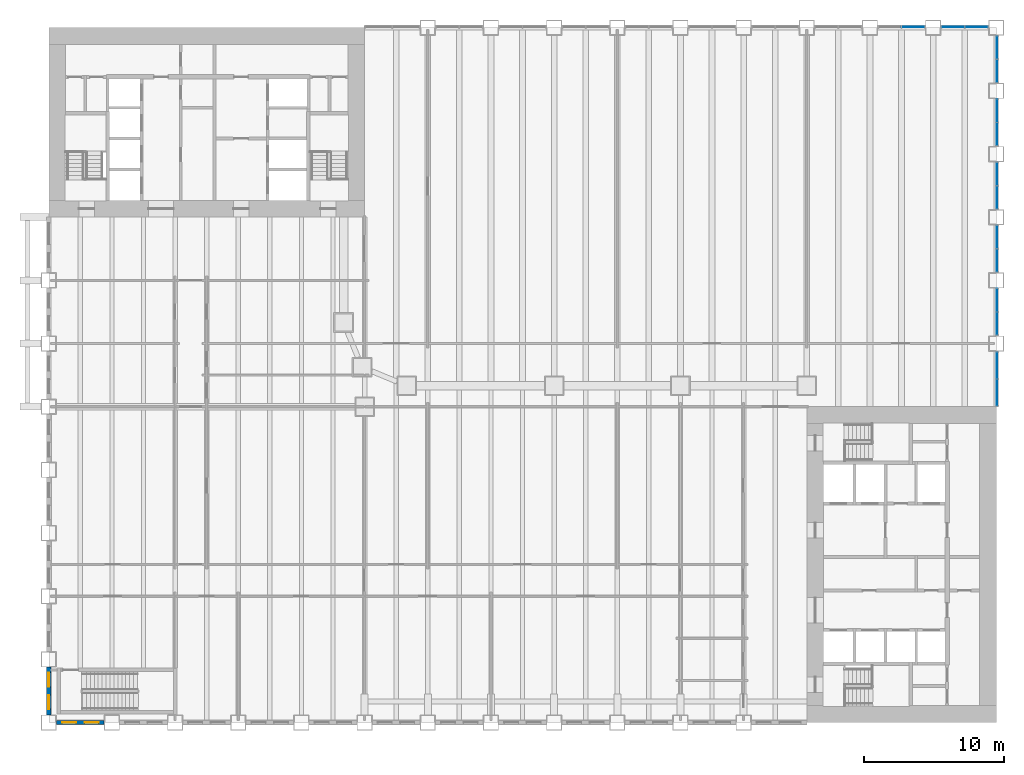
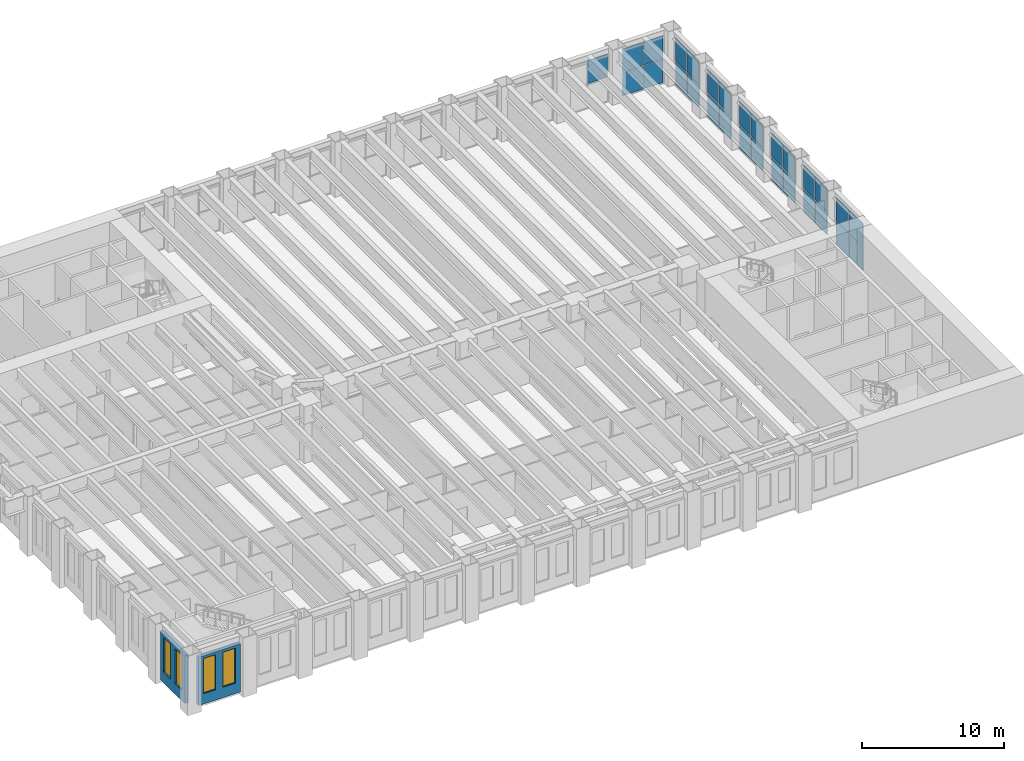
# One storey, part 9 of 21: 29 plates, 4 windows, 2 walls, 4 openings, 8 elements without a shape of their own.
"""IFC4 building model written with IfcOpenShell, lengths in metres."""

from ifc_helpers import new_model, si_unit, direction, frame, frame_2d, origin, origin_2d, place, context, subcontext, project, spatial, rectangle, extrude, material, layer, layer_set, type_object, element, fill, aggregate, save


model = new_model("IFC4")

# Units and contexts
model_context = context("Model", 3, precision=1e-05, world=origin(), true_north=direction((0.0, 1.0)))
body_context = subcontext(model_context, "Body", "Model", "MODEL_VIEW")
ifc_project = project(units=[si_unit("LENGTHUNIT", "METRE"), si_unit("AREAUNIT", "SQUARE_METRE"), si_unit("VOLUMEUNIT", "CUBIC_METRE"), si_unit("PLANEANGLEUNIT", "RADIAN"), si_unit("MASSUNIT", "GRAM", prefix="KILO")], contexts=[model_context])

# Site, building, storey
site_placement = place(None, origin())
site = spatial("IfcSite", under=ifc_project, at=site_placement, CompositionType="ELEMENT")
building_placement = place(site_placement, origin())
building = spatial("IfcBuilding", under=site, at=building_placement, Name="Sennacour Bend Tower", CompositionType="ELEMENT")
storey_placement = place(building_placement, frame((0.0, 0.0, 24.0)))
storey = spatial("IfcBuildingStorey", under=building, at=storey_placement, Name="L04", CompositionType="ELEMENT", Elevation=24.0)

# Curtain wall, plates
ifc_material_1 = material(Name="Bronze anodised aluminium curtain wall with clear glass", Category="aluminium")
curtain_wall_type = type_object("IfcCurtainWallType", Name="CURTAIN WALL NOTCH", PredefinedType="NOTDEFINED", material=ifc_material_1)
curtain_wall_1_placement = place(storey_placement, origin())
curtain_wall_1 = element("IfcCurtainWall", 1, at=curtain_wall_1_placement, inside=storey, type_object=curtain_wall_type, Name="Podium glass wall L04", PredefinedType="NOTDEFINED")
ifc_material_2 = material(Name="Clear low-emissivity glass", Category="glass")
ifc_layer_1 = layer(ifc_material_2, 0.031982421875, Name="Clear low-emissivity glass", Category="glass")
ifc_layer_set_1 = layer_set([ifc_layer_1], Name="Clear low-emissivity glass")
plate_type = type_object("IfcPlateType", Name="PNL-GLASS-IGU32", PredefinedType="CURTAIN_PANEL", material=ifc_layer_set_1)
plate_1_placement = place(storey_placement, frame((67.550048828125, 23.503173828125, 0.06005859375), z_axis=(0.0, 0.0, 1.0), x_axis=(0.0, 1.0, 0.0)))
plate_1 = element("IfcPlate", 2, at=plate_1_placement, type_object=plate_type, Name="GW2 curtain wall panel 1.1", PredefinedType="CURTAIN_PANEL", context=body_context, shape_type="SweptSolid", body=[
    extrude(rectangle(XDim=1.884521484375, YDim=0.031982421875, at=origin_2d()), origin(), (0.0, 0.0, 1.0), 1.97802734375),
])
plate_2_placement = place(storey_placement, frame((67.550048828125, 23.503173828125, 2.097900390625), z_axis=(0.0, 0.0, 1.0), x_axis=(0.0, 1.0, 0.0)))
plate_2 = element("IfcPlate", 3, at=plate_2_placement, type_object=plate_type, Name="GW2 curtain wall panel 1.2", PredefinedType="CURTAIN_PANEL", context=body_context, shape_type="SweptSolid", body=[
    extrude(rectangle(XDim=1.884521484375, YDim=0.031982421875, at=origin_2d()), origin(), (0.0, 0.0, 1.0), 1.97802734375),
])
plate_3_placement = place(storey_placement, frame((67.550048828125, 25.44775390625, 0.06005859375), z_axis=(0.0, 0.0, 1.0), x_axis=(0.0, 1.0, 0.0)))
plate_3 = element("IfcPlate", 4, at=plate_3_placement, type_object=plate_type, Name="GW2 curtain wall panel 2.1", PredefinedType="CURTAIN_PANEL", context=body_context, shape_type="SweptSolid", body=[
    extrude(rectangle(XDim=1.884521484375, YDim=0.031982421875, at=origin_2d()), origin(), (0.0, 0.0, 1.0), 1.97802734375),
])
plate_4_placement = place(storey_placement, frame((67.550048828125, 25.44775390625, 2.097900390625), z_axis=(0.0, 0.0, 1.0), x_axis=(0.0, 1.0, 0.0)))
plate_4 = element("IfcPlate", 5, at=plate_4_placement, type_object=plate_type, Name="GW2 curtain wall panel 2.2", PredefinedType="CURTAIN_PANEL", context=body_context, shape_type="SweptSolid", body=[
    extrude(rectangle(XDim=1.884521484375, YDim=0.031982421875, at=origin_2d()), origin(), (0.0, 0.0, 1.0), 1.97802734375),
])
aggregate(curtain_wall_1, [plate_1, plate_2, plate_3, plate_4])

curtain_wall_2_placement = place(storey_placement, origin())
curtain_wall_2 = element("IfcCurtainWall", 6, at=curtain_wall_2_placement, inside=storey, type_object=curtain_wall_type, Name="Podium glass wall L04", PredefinedType="NOTDEFINED")
plate_5_placement = place(storey_placement, frame((67.550048828125, 28.4150390625, 0.06005859375), z_axis=(0.0, 0.0, 1.0), x_axis=(0.0, 1.0, 0.0)))
plate_5 = element("IfcPlate", 7, at=plate_5_placement, type_object=plate_type, Name="GW2 curtain wall panel 1.1", PredefinedType="CURTAIN_PANEL", context=body_context, shape_type="SweptSolid", body=[
    extrude(rectangle(XDim=1.610107421875, YDim=0.031982421875, at=origin_2d()), origin(), (0.0, 0.0, 1.0), 1.97802734375),
])
plate_6_placement = place(storey_placement, frame((67.550048828125, 28.4150390625, 2.097900390625), z_axis=(0.0, 0.0, 1.0), x_axis=(0.0, 1.0, 0.0)))
plate_6 = element("IfcPlate", 8, at=plate_6_placement, type_object=plate_type, Name="GW2 curtain wall panel 1.2", PredefinedType="CURTAIN_PANEL", context=body_context, shape_type="SweptSolid", body=[
    extrude(rectangle(XDim=1.610107421875, YDim=0.031982421875, at=origin_2d()), origin(), (0.0, 0.0, 1.0), 1.97802734375),
])
plate_7_placement = place(storey_placement, frame((67.550048828125, 30.0849609375, 0.06005859375), z_axis=(0.0, 0.0, 1.0), x_axis=(0.0, 1.0, 0.0)))
plate_7 = element("IfcPlate", 9, at=plate_7_placement, type_object=plate_type, Name="GW2 curtain wall panel 2.1", PredefinedType="CURTAIN_PANEL", context=body_context, shape_type="SweptSolid", body=[
    extrude(rectangle(XDim=1.610107421875, YDim=0.031982421875, at=origin_2d()), origin(), (0.0, 0.0, 1.0), 1.97802734375),
])
plate_8_placement = place(storey_placement, frame((67.550048828125, 30.0849609375, 2.097900390625), z_axis=(0.0, 0.0, 1.0), x_axis=(0.0, 1.0, 0.0)))
plate_8 = element("IfcPlate", 10, at=plate_8_placement, type_object=plate_type, Name="GW2 curtain wall panel 2.2", PredefinedType="CURTAIN_PANEL", context=body_context, shape_type="SweptSolid", body=[
    extrude(rectangle(XDim=1.610107421875, YDim=0.031982421875, at=origin_2d()), origin(), (0.0, 0.0, 1.0), 1.97802734375),
])
aggregate(curtain_wall_2, [plate_5, plate_6, plate_7, plate_8])

curtain_wall_3_placement = place(storey_placement, origin())
curtain_wall_3 = element("IfcCurtainWall", 11, at=curtain_wall_3_placement, inside=storey, type_object=curtain_wall_type, Name="Podium glass wall L04", PredefinedType="NOTDEFINED")
plate_9_placement = place(storey_placement, frame((67.550048828125, 32.9150390625, 0.06005859375), z_axis=(0.0, 0.0, 1.0), x_axis=(0.0, 1.0, 0.0)))
plate_9 = element("IfcPlate", 12, at=plate_9_placement, type_object=plate_type, Name="GW2 curtain wall panel 1.1", PredefinedType="CURTAIN_PANEL", context=body_context, shape_type="SweptSolid", body=[
    extrude(rectangle(XDim=1.610107421875, YDim=0.031982421875, at=origin_2d()), origin(), (0.0, 0.0, 1.0), 1.97802734375),
])
plate_10_placement = place(storey_placement, frame((67.550048828125, 32.9150390625, 2.097900390625), z_axis=(0.0, 0.0, 1.0), x_axis=(0.0, 1.0, 0.0)))
plate_10 = element("IfcPlate", 13, at=plate_10_placement, type_object=plate_type, Name="GW2 curtain wall panel 1.2", PredefinedType="CURTAIN_PANEL", context=body_context, shape_type="SweptSolid", body=[
    extrude(rectangle(XDim=1.610107421875, YDim=0.031982421875, at=origin_2d()), origin(), (0.0, 0.0, 1.0), 1.97802734375),
])
plate_11_placement = place(storey_placement, frame((67.550048828125, 34.5849609375, 0.06005859375), z_axis=(0.0, 0.0, 1.0), x_axis=(0.0, 1.0, 0.0)))
plate_11 = element("IfcPlate", 14, at=plate_11_placement, type_object=plate_type, Name="GW2 curtain wall panel 2.1", PredefinedType="CURTAIN_PANEL", context=body_context, shape_type="SweptSolid", body=[
    extrude(rectangle(XDim=1.610107421875, YDim=0.031982421875, at=origin_2d()), origin(), (0.0, 0.0, 1.0), 1.97802734375),
])
plate_12_placement = place(storey_placement, frame((67.550048828125, 34.5849609375, 2.097900390625), z_axis=(0.0, 0.0, 1.0), x_axis=(0.0, 1.0, 0.0)))
plate_12 = element("IfcPlate", 15, at=plate_12_placement, type_object=plate_type, Name="GW2 curtain wall panel 2.2", PredefinedType="CURTAIN_PANEL", context=body_context, shape_type="SweptSolid", body=[
    extrude(rectangle(XDim=1.610107421875, YDim=0.031982421875, at=origin_2d()), origin(), (0.0, 0.0, 1.0), 1.97802734375),
])
aggregate(curtain_wall_3, [plate_9, plate_10, plate_11, plate_12])

curtain_wall_4_placement = place(storey_placement, origin())
curtain_wall_4 = element("IfcCurtainWall", 16, at=curtain_wall_4_placement, inside=storey, type_object=curtain_wall_type, Name="Podium glass wall L04", PredefinedType="NOTDEFINED")
plate_13_placement = place(storey_placement, frame((67.550048828125, 37.4150390625, 0.06005859375), z_axis=(0.0, 0.0, 1.0), x_axis=(0.0, 1.0, 0.0)))
plate_13 = element("IfcPlate", 17, at=plate_13_placement, type_object=plate_type, Name="GW2 curtain wall panel 1.1", PredefinedType="CURTAIN_PANEL", context=body_context, shape_type="SweptSolid", body=[
    extrude(rectangle(XDim=1.610107421875, YDim=0.031982421875, at=origin_2d()), origin(), (0.0, 0.0, 1.0), 1.97802734375),
])
plate_14_placement = place(storey_placement, frame((67.550048828125, 37.4150390625, 2.097900390625), z_axis=(0.0, 0.0, 1.0), x_axis=(0.0, 1.0, 0.0)))
plate_14 = element("IfcPlate", 18, at=plate_14_placement, type_object=plate_type, Name="GW2 curtain wall panel 1.2", PredefinedType="CURTAIN_PANEL", context=body_context, shape_type="SweptSolid", body=[
    extrude(rectangle(XDim=1.610107421875, YDim=0.031982421875, at=origin_2d()), origin(), (0.0, 0.0, 1.0), 1.97802734375),
])
plate_15_placement = place(storey_placement, frame((67.550048828125, 39.0849609375, 0.06005859375), z_axis=(0.0, 0.0, 1.0), x_axis=(0.0, 1.0, 0.0)))
plate_15 = element("IfcPlate", 19, at=plate_15_placement, type_object=plate_type, Name="GW2 curtain wall panel 2.1", PredefinedType="CURTAIN_PANEL", context=body_context, shape_type="SweptSolid", body=[
    extrude(rectangle(XDim=1.610107421875, YDim=0.031982421875, at=origin_2d()), origin(), (0.0, 0.0, 1.0), 1.97802734375),
])
plate_16_placement = place(storey_placement, frame((67.550048828125, 39.0849609375, 2.097900390625), z_axis=(0.0, 0.0, 1.0), x_axis=(0.0, 1.0, 0.0)))
plate_16 = element("IfcPlate", 20, at=plate_16_placement, type_object=plate_type, Name="GW2 curtain wall panel 2.2", PredefinedType="CURTAIN_PANEL", context=body_context, shape_type="SweptSolid", body=[
    extrude(rectangle(XDim=1.610107421875, YDim=0.031982421875, at=origin_2d()), origin(), (0.0, 0.0, 1.0), 1.97802734375),
])
aggregate(curtain_wall_4, [plate_13, plate_14, plate_15, plate_16])

curtain_wall_5_placement = place(storey_placement, origin())
curtain_wall_5 = element("IfcCurtainWall", 21, at=curtain_wall_5_placement, inside=storey, type_object=curtain_wall_type, Name="Podium glass wall L04", PredefinedType="NOTDEFINED")
plate_17_placement = place(storey_placement, frame((67.550048828125, 41.9150390625, 0.06005859375), z_axis=(0.0, 0.0, 1.0), x_axis=(0.0, 1.0, 0.0)))
plate_17 = element("IfcPlate", 22, at=plate_17_placement, type_object=plate_type, Name="GW2 curtain wall panel 1.1", PredefinedType="CURTAIN_PANEL", context=body_context, shape_type="SweptSolid", body=[
    extrude(rectangle(XDim=1.610107421875, YDim=0.031982421875, at=origin_2d()), origin(), (0.0, 0.0, 1.0), 1.97802734375),
])
plate_18_placement = place(storey_placement, frame((67.550048828125, 41.9150390625, 2.097900390625), z_axis=(0.0, 0.0, 1.0), x_axis=(0.0, 1.0, 0.0)))
plate_18 = element("IfcPlate", 23, at=plate_18_placement, type_object=plate_type, Name="GW2 curtain wall panel 1.2", PredefinedType="CURTAIN_PANEL", context=body_context, shape_type="SweptSolid", body=[
    extrude(rectangle(XDim=1.610107421875, YDim=0.031982421875, at=origin_2d()), origin(), (0.0, 0.0, 1.0), 1.97802734375),
])
plate_19_placement = place(storey_placement, frame((67.550048828125, 43.5849609375, 0.06005859375), z_axis=(0.0, 0.0, 1.0), x_axis=(0.0, 1.0, 0.0)))
plate_19 = element("IfcPlate", 24, at=plate_19_placement, type_object=plate_type, Name="GW2 curtain wall panel 2.1", PredefinedType="CURTAIN_PANEL", context=body_context, shape_type="SweptSolid", body=[
    extrude(rectangle(XDim=1.610107421875, YDim=0.031982421875, at=origin_2d()), origin(), (0.0, 0.0, 1.0), 1.97802734375),
])
plate_20_placement = place(storey_placement, frame((67.550048828125, 43.5849609375, 2.097900390625), z_axis=(0.0, 0.0, 1.0), x_axis=(0.0, 1.0, 0.0)))
plate_20 = element("IfcPlate", 25, at=plate_20_placement, type_object=plate_type, Name="GW2 curtain wall panel 2.2", PredefinedType="CURTAIN_PANEL", context=body_context, shape_type="SweptSolid", body=[
    extrude(rectangle(XDim=1.610107421875, YDim=0.031982421875, at=origin_2d()), origin(), (0.0, 0.0, 1.0), 1.97802734375),
])
aggregate(curtain_wall_5, [plate_17, plate_18, plate_19, plate_20])

curtain_wall_6_placement = place(storey_placement, origin())
curtain_wall_6 = element("IfcCurtainWall", 26, at=curtain_wall_6_placement, inside=storey, type_object=curtain_wall_type, Name="Podium glass wall L04", PredefinedType="NOTDEFINED")
plate_21_placement = place(storey_placement, frame((67.550048828125, 46.4150390625, 0.06005859375), z_axis=(0.0, 0.0, 1.0), x_axis=(0.0, 1.0, 0.0)))
plate_21 = element("IfcPlate", 27, at=plate_21_placement, type_object=plate_type, Name="GW2 curtain wall panel 1.1", PredefinedType="CURTAIN_PANEL", context=body_context, shape_type="SweptSolid", body=[
    extrude(rectangle(XDim=1.610107421875, YDim=0.031982421875, at=origin_2d()), origin(), (0.0, 0.0, 1.0), 1.97802734375),
])
plate_22_placement = place(storey_placement, frame((67.550048828125, 46.4150390625, 2.097900390625), z_axis=(0.0, 0.0, 1.0), x_axis=(0.0, 1.0, 0.0)))
plate_22 = element("IfcPlate", 28, at=plate_22_placement, type_object=plate_type, Name="GW2 curtain wall panel 1.2", PredefinedType="CURTAIN_PANEL", context=body_context, shape_type="SweptSolid", body=[
    extrude(rectangle(XDim=1.610107421875, YDim=0.031982421875, at=origin_2d()), origin(), (0.0, 0.0, 1.0), 1.97802734375),
])
plate_23_placement = place(storey_placement, frame((67.550048828125, 48.0849609375, 0.06005859375), z_axis=(0.0, 0.0, 1.0), x_axis=(0.0, 1.0, 0.0)))
plate_23 = element("IfcPlate", 29, at=plate_23_placement, type_object=plate_type, Name="GW2 curtain wall panel 2.1", PredefinedType="CURTAIN_PANEL", context=body_context, shape_type="SweptSolid", body=[
    extrude(rectangle(XDim=1.610107421875, YDim=0.031982421875, at=origin_2d()), origin(), (0.0, 0.0, 1.0), 1.97802734375),
])
plate_24_placement = place(storey_placement, frame((67.550048828125, 48.0849609375, 2.097900390625), z_axis=(0.0, 0.0, 1.0), x_axis=(0.0, 1.0, 0.0)))
plate_24 = element("IfcPlate", 30, at=plate_24_placement, type_object=plate_type, Name="GW2 curtain wall panel 2.2", PredefinedType="CURTAIN_PANEL", context=body_context, shape_type="SweptSolid", body=[
    extrude(rectangle(XDim=1.610107421875, YDim=0.031982421875, at=origin_2d()), origin(), (0.0, 0.0, 1.0), 1.97802734375),
])
aggregate(curtain_wall_6, [plate_21, plate_22, plate_23, plate_24])

curtain_wall_7_placement = place(storey_placement, origin())
curtain_wall_7 = element("IfcCurtainWall", 31, at=curtain_wall_7_placement, inside=storey, type_object=curtain_wall_type, Name="Podium glass wall L04", PredefinedType="NOTDEFINED")
plate_25_placement = place(storey_placement, frame((66.0849609375, 49.550048828125, 0.06005859375), z_axis=(0.0, 0.0, 1.0), x_axis=(-1.0, 0.0, 0.0)))
plate_25 = element("IfcPlate", 32, at=plate_25_placement, type_object=plate_type, Name="GW2 curtain wall panel 1.1", PredefinedType="CURTAIN_PANEL", context=body_context, shape_type="SweptSolid", body=[
    extrude(rectangle(XDim=1.610107421875, YDim=0.031982421875, at=origin_2d()), origin(), (0.0, 0.0, 1.0), 1.97802734375),
])
plate_26_placement = place(storey_placement, frame((66.0849609375, 49.550048828125, 2.097900390625), z_axis=(0.0, 0.0, 1.0), x_axis=(-1.0, 0.0, 0.0)))
plate_26 = element("IfcPlate", 33, at=plate_26_placement, type_object=plate_type, Name="GW2 curtain wall panel 1.2", PredefinedType="CURTAIN_PANEL", context=body_context, shape_type="SweptSolid", body=[
    extrude(rectangle(XDim=1.610107421875, YDim=0.031982421875, at=origin_2d()), origin(), (0.0, 0.0, 1.0), 1.97802734375),
])
plate_27_placement = place(storey_placement, frame((64.4150390625, 49.550048828125, 0.06005859375), z_axis=(0.0, 0.0, 1.0), x_axis=(-1.0, 0.0, 0.0)))
plate_27 = element("IfcPlate", 34, at=plate_27_placement, type_object=plate_type, Name="GW2 curtain wall panel 2.1", PredefinedType="CURTAIN_PANEL", context=body_context, shape_type="SweptSolid", body=[
    extrude(rectangle(XDim=1.610107421875, YDim=0.031982421875, at=origin_2d()), origin(), (0.0, 0.0, 1.0), 1.97802734375),
])
plate_28_placement = place(storey_placement, frame((64.4150390625, 49.550048828125, 2.097900390625), z_axis=(0.0, 0.0, 1.0), x_axis=(-1.0, 0.0, 0.0)))
plate_28 = element("IfcPlate", 35, at=plate_28_placement, type_object=plate_type, Name="GW2 curtain wall panel 2.2", PredefinedType="CURTAIN_PANEL", context=body_context, shape_type="SweptSolid", body=[
    extrude(rectangle(XDim=1.610107421875, YDim=0.031982421875, at=origin_2d()), origin(), (0.0, 0.0, 1.0), 1.97802734375),
])
aggregate(curtain_wall_7, [plate_25, plate_26, plate_27, plate_28])

# Curtain wall, plate
curtain_wall_8_placement = place(storey_placement, origin())
curtain_wall_8 = element("IfcCurtainWall", 36, at=curtain_wall_8_placement, inside=storey, type_object=curtain_wall_type, Name="Podium glass wall L04", PredefinedType="NOTDEFINED")
plate_29_placement = place(storey_placement, frame((61.5849609375, 49.550048828125, 2.097900390625), z_axis=(0.0, 0.0, 1.0), x_axis=(-1.0, 0.0, 0.0)))
plate_29 = element("IfcPlate", 37, at=plate_29_placement, type_object=plate_type, Name="GW2 curtain wall panel 1.2", PredefinedType="CURTAIN_PANEL", context=body_context, shape_type="SweptSolid", body=[
    extrude(rectangle(XDim=1.610107421875, YDim=0.031982421875, at=origin_2d()), origin(), (0.0, 0.0, 1.0), 1.97802734375),
])
aggregate(curtain_wall_8, [plate_29])

# Wall, openings, windows
ifc_material_3 = material(Name="Warm limestone cladding", Category="masonry")
ifc_layer_2 = layer(ifc_material_3, 0.050048828125, Name="Warm limestone cladding", Category="masonry")
ifc_material_4 = material(Name="Precast concrete C40/50", Category="concrete")
ifc_layer_3 = layer(ifc_material_4, 0.25, Name="Precast concrete C40/50", Category="concrete")
ifc_layer_set_2 = layer_set([ifc_layer_2, ifc_layer_3], Name="Precast concrete C40/50 with limestone cladding")
wall_type = type_object("IfcWallType", Name="STONE-CLAD PRECAST SPANDREL 300", PredefinedType="STANDARD", material=ifc_layer_set_2)
wall_1_placement = place(storey_placement, frame((0.0, 3.949951171875, 0.0), z_axis=(0.0, 0.0, 1.0), x_axis=(0.0, -1.0, 0.0)))
wall_1 = element("IfcWall", 38, at=wall_1_placement, inside=storey, type_object=wall_type, Name="Stone spandrel and pier wall L04 02.07", PredefinedType="STANDARD", context=body_context, shape_type="SweptSolid", body=[
    extrude(rectangle(XDim=3.39990234375, YDim=0.300048828125, at=frame_2d((1.699951171875, 0.0))), origin(), (0.0, 0.0, 1.0), 4.135986328125),
])
opening_1_placement = place(wall_1_placement, frame((0.39990234375, 0.0, 0.89990234375)))
opening_1 = element("IfcOpeningElement", 39, at=opening_1_placement, cuts=wall_1, Name="Opening W7", PredefinedType="OPENING", context=body_context, shape_type="SweptSolid", body=[
    extrude(rectangle(XDim=1.0, YDim=3.0, at=frame_2d((0.5, 1.5))), frame((0.0, 0.16015625, 0.0), z_axis=(0.0, -1.0, 0.0), x_axis=(1.0, 0.0, 0.0)), (0.0, 0.0, 1.0), 0.320068359375),
])
opening_2_placement = place(wall_1_placement, frame((2.0, 0.0, 0.89990234375)))
opening_2 = element("IfcOpeningElement", 40, at=opening_2_placement, cuts=wall_1, Name="Opening W7", PredefinedType="OPENING", context=body_context, shape_type="SweptSolid", body=[
    extrude(rectangle(XDim=1.0, YDim=3.0, at=frame_2d((0.5, 1.5))), frame((0.0, 0.16015625, 0.0), z_axis=(0.0, -1.0, 0.0), x_axis=(1.0, 0.0, 0.0)), (0.0, 0.0, 1.0), 0.320068359375),
])
window_type = type_object("IfcWindowType", Name="WIN-RIBBON-1000x3000", PartitioningType="SINGLE_PANEL", PredefinedType="WINDOW", material=ifc_material_2)
window_1_placement = place(opening_1_placement, origin())
window_1 = element("IfcWindow", 41, at=window_1_placement, inside=storey, type_object=window_type, Name="Ribbon window L04 02.07.0", OverallHeight=3.0, OverallWidth=1.0, PartitioningType="SINGLE_PANEL", PredefinedType="WINDOW", context=body_context, shape_type="SweptSolid", body=[
    extrude(rectangle(XDim=1.0, YDim=3.0, at=frame_2d((0.5, 1.5))), frame((0.0, 0.030029296875, 0.0), z_axis=(0.0, -1.0, 0.0), x_axis=(1.0, 0.0, 0.0)), (0.0, 0.0, 1.0), 0.06005859375),
])
fill(opening_1, window_1)
window_2_placement = place(opening_2_placement, origin())
window_2 = element("IfcWindow", 42, at=window_2_placement, inside=storey, type_object=window_type, Name="Ribbon window L04 02.07.1", OverallHeight=3.0, OverallWidth=1.0, PartitioningType="SINGLE_PANEL", PredefinedType="WINDOW", context=body_context, shape_type="SweptSolid", body=[
    extrude(rectangle(XDim=1.0, YDim=3.0, at=frame_2d((0.5, 1.5))), frame((0.0, 0.030029296875, 0.0), z_axis=(0.0, -1.0, 0.0), x_axis=(1.0, 0.0, 0.0)), (0.0, 0.0, 1.0), 0.06005859375),
])
fill(opening_2, window_2)

wall_2_placement = place(storey_placement, frame((0.550048828125, 0.0, 0.0), z_axis=(0.0, 0.0, 1.0), x_axis=(1.0, 0.0, 0.0)))
wall_2 = element("IfcWall", 43, at=wall_2_placement, inside=storey, type_object=wall_type, Name="Stone spandrel and pier wall L04 03.00", PredefinedType="STANDARD", context=body_context, shape_type="SweptSolid", body=[
    extrude(rectangle(XDim=3.39990234375, YDim=0.300048828125, at=frame_2d((1.699951171875, 0.0))), origin(), (0.0, 0.0, 1.0), 4.135986328125),
])
opening_3_placement = place(wall_2_placement, frame((0.39990234375, 0.0, 0.89990234375)))
opening_3 = element("IfcOpeningElement", 44, at=opening_3_placement, cuts=wall_2, Name="Opening W7", PredefinedType="OPENING", context=body_context, shape_type="SweptSolid", body=[
    extrude(rectangle(XDim=1.0, YDim=3.0, at=frame_2d((0.5, 1.5))), frame((0.0, 0.16015625, 0.0), z_axis=(0.0, -1.0, 0.0), x_axis=(1.0, 0.0, 0.0)), (0.0, 0.0, 1.0), 0.320068359375),
])
opening_4_placement = place(wall_2_placement, frame((2.0, 0.0, 0.89990234375)))
opening_4 = element("IfcOpeningElement", 45, at=opening_4_placement, cuts=wall_2, Name="Opening W7", PredefinedType="OPENING", context=body_context, shape_type="SweptSolid", body=[
    extrude(rectangle(XDim=1.0, YDim=3.0, at=frame_2d((0.5, 1.5))), frame((0.0, 0.16015625, 0.0), z_axis=(0.0, -1.0, 0.0), x_axis=(1.0, 0.0, 0.0)), (0.0, 0.0, 1.0), 0.320068359375),
])
window_3_placement = place(opening_3_placement, origin())
window_3 = element("IfcWindow", 46, at=window_3_placement, inside=storey, type_object=window_type, Name="Ribbon window L04 03.00.0", OverallHeight=3.0, OverallWidth=1.0, PartitioningType="SINGLE_PANEL", PredefinedType="WINDOW", context=body_context, shape_type="SweptSolid", body=[
    extrude(rectangle(XDim=1.0, YDim=3.0, at=frame_2d((0.5, 1.5))), frame((0.0, 0.030029296875, 0.0), z_axis=(0.0, -1.0, 0.0), x_axis=(1.0, 0.0, 0.0)), (0.0, 0.0, 1.0), 0.06005859375),
])
fill(opening_3, window_3)
window_4_placement = place(opening_4_placement, origin())
window_4 = element("IfcWindow", 47, at=window_4_placement, inside=storey, type_object=window_type, Name="Ribbon window L04 03.00.1", OverallHeight=3.0, OverallWidth=1.0, PartitioningType="SINGLE_PANEL", PredefinedType="WINDOW", context=body_context, shape_type="SweptSolid", body=[
    extrude(rectangle(XDim=1.0, YDim=3.0, at=frame_2d((0.5, 1.5))), frame((0.0, 0.030029296875, 0.0), z_axis=(0.0, -1.0, 0.0), x_axis=(1.0, 0.0, 0.0)), (0.0, 0.0, 1.0), 0.06005859375),
])
fill(opening_4, window_4)

save(model, "model.ifc")
